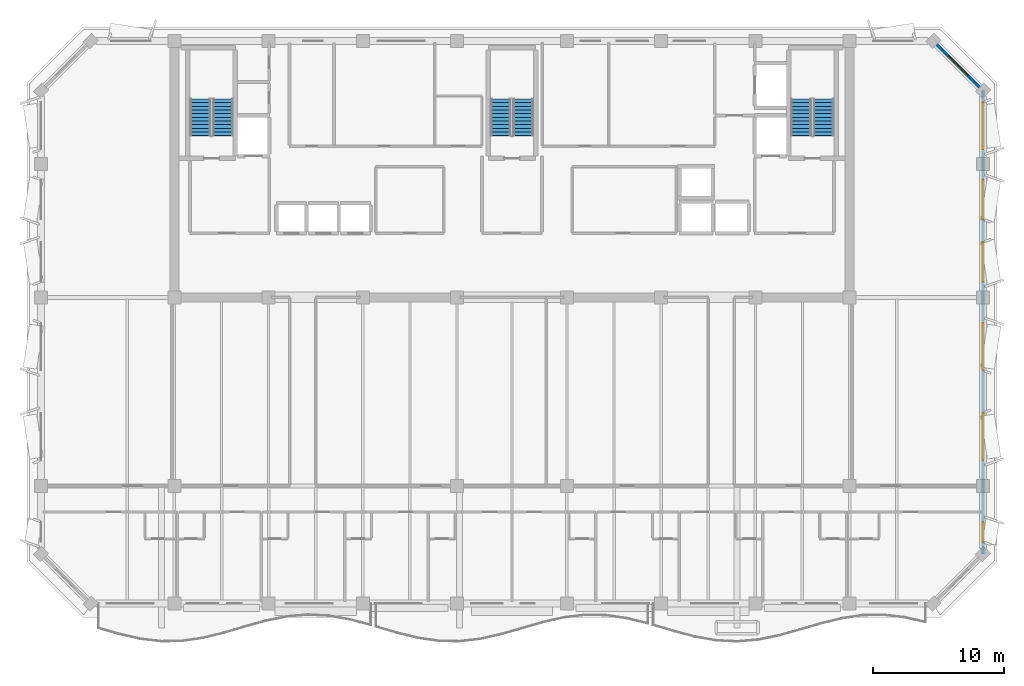
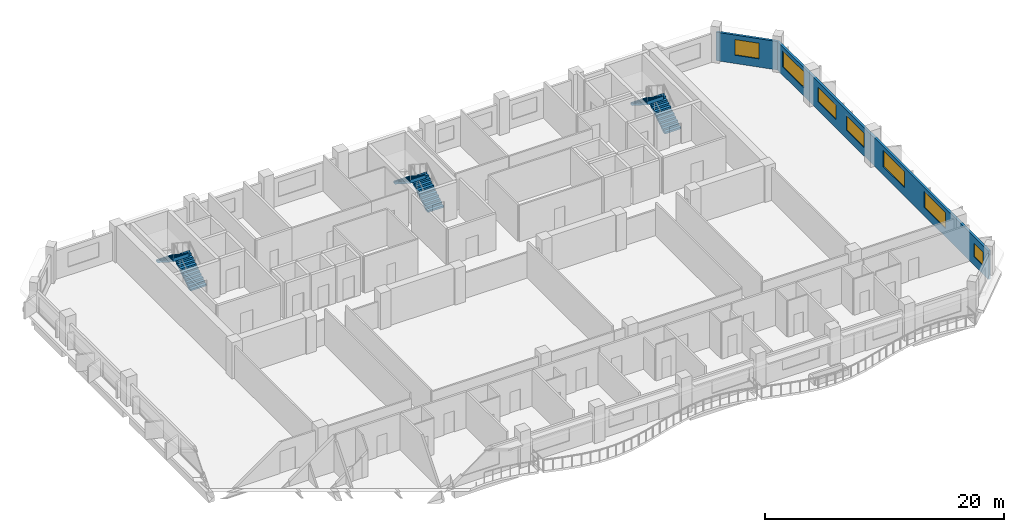
# One storey, part 8 of 11: 7 windows, 6 stair flights, 2 walls, 7 openings, 3 elements without a shape of their own.
"""IFC4 building model written with IfcOpenShell, lengths in metres."""

from ifc_helpers import new_model, si_unit, direction, frame, frame_2d, origin, place, context, subcontext, project, spatial, polyline, rectangle, outline, extrude, material, layer, layer_set, type_object, element, fill, aggregate, save


model = new_model("IFC4")

# Units and contexts
model_context = context("Model", 3, precision=1e-05, world=origin(), true_north=direction((0.0, 1.0)))
body_context = subcontext(model_context, "Body", "Model", "MODEL_VIEW")
ifc_project = project(units=[si_unit("LENGTHUNIT", "METRE"), si_unit("AREAUNIT", "SQUARE_METRE"), si_unit("VOLUMEUNIT", "CUBIC_METRE"), si_unit("PLANEANGLEUNIT", "RADIAN"), si_unit("MASSUNIT", "GRAM", prefix="KILO")], contexts=[model_context])

# Site, building, storey
site_placement = place(None, origin())
site = spatial("IfcSite", under=ifc_project, at=site_placement, CompositionType="ELEMENT")
building_placement = place(site_placement, origin())
building = spatial("IfcBuilding", under=site, at=building_placement, Name="Kaelvorn Grand Hotel", CompositionType="ELEMENT")
storey_placement = place(building_placement, frame((0.0, 0.0, 241.0)))
storey = spatial("IfcBuildingStorey", under=building, at=storey_placement, Name="L59", CompositionType="ELEMENT", Elevation=241.0)

# Wall, openings, windows
ifc_material_1 = material(Name="Concrete C40/50", Category="concrete")
ifc_layer = layer(ifc_material_1, 0.219970703125)
ifc_layer_set = layer_set([ifc_layer], Name="Concrete C40/50")
wall_type = type_object("IfcWallType", Name="WL-EXT-220-C40", PredefinedType="SOLIDWALL", material=ifc_layer_set)
wall_1_placement = place(storey_placement, frame((78.0, 9.800048828125, 0.0), z_axis=(0.0, 0.0, 1.0), x_axis=(0.0, 1.0, 0.0)))
wall_1 = element("IfcWall", 1, at=wall_1_placement, inside=storey, type_object=wall_type, Name="L59 Exterior Architectural Concrete Wall 03", PredefinedType="SOLIDWALL", context=body_context, shape_type="SweptSolid", body=[
    extrude(rectangle(XDim=35.39990234375, YDim=0.219970703125, at=frame_2d((17.699951171875, 0.0))), origin(), (0.0, 0.0, 1.0), 2.909912109375),
])
opening_1_placement = place(wall_1_placement, frame((0.93505859375, 0.0, 0.85009765625)))
opening_1 = element("IfcOpeningElement", 2, at=opening_1_placement, cuts=wall_1, Name="Opening W10", PredefinedType="OPENING", context=body_context, shape_type="SweptSolid", body=[
    extrude(rectangle(XDim=1.5, YDim=1.39990234375, at=frame_2d((0.75, 0.699951171875))), frame((0.0, 0.1201171875, 0.0), z_axis=(0.0, -1.0, 0.0), x_axis=(1.0, 0.0, 0.0)), (0.0, 0.0, 1.0), 0.239990234375),
])
opening_2_placement = place(wall_1_placement, frame((7.1650390625, 0.0, 0.85009765625)))
opening_2 = element("IfcOpeningElement", 3, at=opening_2_placement, cuts=wall_1, Name="Opening W3", PredefinedType="OPENING", context=body_context, shape_type="SweptSolid", body=[
    extrude(rectangle(XDim=3.60009765625, YDim=1.64990234375, at=frame_2d((1.800048828125, 0.824951171875))), frame((0.0, 0.1201171875, 0.0), z_axis=(0.0, -1.0, 0.0), x_axis=(1.0, 0.0, 0.0)), (0.0, 0.0, 1.0), 0.239990234375),
])
opening_3_placement = place(wall_1_placement, frame((14.034912109375, 0.0, 0.85009765625)))
opening_3 = element("IfcOpeningElement", 4, at=opening_3_placement, cuts=wall_1, Name="Opening W3", PredefinedType="OPENING", context=body_context, shape_type="SweptSolid", body=[
    extrude(rectangle(XDim=3.60009765625, YDim=1.64990234375, at=frame_2d((1.800048828125, 0.824951171875))), frame((0.0, 0.1201171875, 0.0), z_axis=(0.0, -1.0, 0.0), x_axis=(1.0, 0.0, 0.0)), (0.0, 0.0, 1.0), 0.239990234375),
])
opening_4_placement = place(wall_1_placement, frame((20.81494140625, 0.0, 0.85009765625)))
opening_4 = element("IfcOpeningElement", 5, at=opening_4_placement, cuts=wall_1, Name="Opening W5", PredefinedType="OPENING", context=body_context, shape_type="SweptSolid", body=[
    extrude(rectangle(XDim=3.0, YDim=1.5, at=frame_2d((1.5, 0.75))), frame((0.0, 0.1201171875, 0.0), z_axis=(0.0, -1.0, 0.0), x_axis=(1.0, 0.0, 0.0)), (0.0, 0.0, 1.0), 0.239990234375),
])
opening_5_placement = place(wall_1_placement, frame((25.5849609375, 0.0, 0.85009765625)))
opening_5 = element("IfcOpeningElement", 6, at=opening_5_placement, cuts=wall_1, Name="Opening W5", PredefinedType="OPENING", context=body_context, shape_type="SweptSolid", body=[
    extrude(rectangle(XDim=3.0, YDim=1.5, at=frame_2d((1.5, 0.75))), frame((0.0, 0.1201171875, 0.0), z_axis=(0.0, -1.0, 0.0), x_axis=(1.0, 0.0, 0.0)), (0.0, 0.0, 1.0), 0.239990234375),
])
opening_6_placement = place(wall_1_placement, frame((30.9150390625, 0.0, 0.85009765625)))
opening_6 = element("IfcOpeningElement", 7, at=opening_6_placement, cuts=wall_1, Name="Opening W3", PredefinedType="OPENING", context=body_context, shape_type="SweptSolid", body=[
    extrude(rectangle(XDim=3.60009765625, YDim=1.64990234375, at=frame_2d((1.800048828125, 0.824951171875))), frame((0.0, 0.1201171875, 0.0), z_axis=(0.0, -1.0, 0.0), x_axis=(1.0, 0.0, 0.0)), (0.0, 0.0, 1.0), 0.239990234375),
])
ifc_material_2 = material(Name="Laminated Low-E Glass", Category="glass")
window_type_1 = type_object("IfcWindowType", Name="WIN-COR-1500x1400", PartitioningType="SINGLE_PANEL", PredefinedType="WINDOW", material=ifc_material_2)
window_1_placement = place(opening_1_placement, origin())
window_1 = element("IfcWindow", 8, at=window_1_placement, inside=storey, type_object=window_type_1, Name="L59 E Wing Tilted-Frame Ribbon Window E01", OverallHeight=1.39990234375, OverallWidth=1.5, PartitioningType="SINGLE_PANEL", PredefinedType="WINDOW", context=body_context, shape_type="SweptSolid", body=[
    extrude(rectangle(XDim=1.5, YDim=1.39990234375, at=frame_2d((0.75, 0.699951171875))), frame((0.0, 0.030029296875, 0.0), z_axis=(0.0, -1.0, 0.0), x_axis=(1.0, 0.0, 0.0)), (0.0, 0.0, 1.0), 0.06005859375),
])
fill(opening_1, window_1)
window_type_2 = type_object("IfcWindowType", Name="WIN-NTH-3000x1500", PartitioningType="SINGLE_PANEL", PredefinedType="WINDOW", material=ifc_material_2)
window_2_placement = place(opening_4_placement, origin())
window_2 = element("IfcWindow", 9, at=window_2_placement, inside=storey, type_object=window_type_2, Name="L59 E Wing Tilted-Frame Ribbon Window E04", OverallHeight=1.5, OverallWidth=3.0, PartitioningType="SINGLE_PANEL", PredefinedType="WINDOW", context=body_context, shape_type="SweptSolid", body=[
    extrude(rectangle(XDim=3.0, YDim=1.5, at=frame_2d((1.5, 0.75))), frame((0.0, 0.030029296875, 0.0), z_axis=(0.0, -1.0, 0.0), x_axis=(1.0, 0.0, 0.0)), (0.0, 0.0, 1.0), 0.06005859375),
])
fill(opening_4, window_2)
window_3_placement = place(opening_5_placement, origin())
window_3 = element("IfcWindow", 10, at=window_3_placement, inside=storey, type_object=window_type_2, Name="L59 E Wing Tilted-Frame Ribbon Window E05", OverallHeight=1.5, OverallWidth=3.0, PartitioningType="SINGLE_PANEL", PredefinedType="WINDOW", context=body_context, shape_type="SweptSolid", body=[
    extrude(rectangle(XDim=3.0, YDim=1.5, at=frame_2d((1.5, 0.75))), frame((0.0, 0.030029296875, 0.0), z_axis=(0.0, -1.0, 0.0), x_axis=(1.0, 0.0, 0.0)), (0.0, 0.0, 1.0), 0.06005859375),
])
fill(opening_5, window_3)
window_type_3 = type_object("IfcWindowType", Name="WIN-RIB-3600x1750", PartitioningType="SINGLE_PANEL", PredefinedType="WINDOW", material=ifc_material_2)
window_4_placement = place(opening_2_placement, origin())
window_4 = element("IfcWindow", 11, at=window_4_placement, inside=storey, type_object=window_type_3, Name="L59 E Wing Tilted-Frame Ribbon Window E02", OverallHeight=1.64990234375, OverallWidth=3.60009765625, PartitioningType="SINGLE_PANEL", PredefinedType="WINDOW", context=body_context, shape_type="SweptSolid", body=[
    extrude(rectangle(XDim=3.60009765625, YDim=1.64990234375, at=frame_2d((1.800048828125, 0.824951171875))), frame((0.0, 0.030029296875, 0.0), z_axis=(0.0, -1.0, 0.0), x_axis=(1.0, 0.0, 0.0)), (0.0, 0.0, 1.0), 0.06005859375),
])
fill(opening_2, window_4)
window_5_placement = place(opening_3_placement, origin())
window_5 = element("IfcWindow", 12, at=window_5_placement, inside=storey, type_object=window_type_3, Name="L59 E Wing Tilted-Frame Ribbon Window E03", OverallHeight=1.64990234375, OverallWidth=3.60009765625, PartitioningType="SINGLE_PANEL", PredefinedType="WINDOW", context=body_context, shape_type="SweptSolid", body=[
    extrude(rectangle(XDim=3.60009765625, YDim=1.64990234375, at=frame_2d((1.800048828125, 0.824951171875))), frame((0.0, 0.030029296875, 0.0), z_axis=(0.0, -1.0, 0.0), x_axis=(1.0, 0.0, 0.0)), (0.0, 0.0, 1.0), 0.06005859375),
])
fill(opening_3, window_5)
window_6_placement = place(opening_6_placement, origin())
window_6 = element("IfcWindow", 13, at=window_6_placement, inside=storey, type_object=window_type_3, Name="L59 E Wing Tilted-Frame Ribbon Window E06", OverallHeight=1.64990234375, OverallWidth=3.60009765625, PartitioningType="SINGLE_PANEL", PredefinedType="WINDOW", context=body_context, shape_type="SweptSolid", body=[
    extrude(rectangle(XDim=3.60009765625, YDim=1.64990234375, at=frame_2d((1.800048828125, 0.824951171875))), frame((0.0, 0.030029296875, 0.0), z_axis=(0.0, -1.0, 0.0), x_axis=(1.0, 0.0, 0.0)), (0.0, 0.0, 1.0), 0.06005859375),
])
fill(opening_6, window_6)

# Wall, opening, window
wall_2_placement = place(storey_placement, frame((78.0, 45.199951171875, 0.0), z_axis=(0.0, 0.0, 1.0), x_axis=(-0.707106781187, 0.707106781187, 0.0)))
wall_2 = element("IfcWall", 14, at=wall_2_placement, inside=storey, type_object=wall_type, Name="L59 Exterior Architectural Concrete Wall 04", PredefinedType="SOLIDWALL", context=body_context, shape_type="SweptSolid", body=[
    extrude(rectangle(XDim=5.3740234375, YDim=0.219970703125, at=frame_2d((2.68701171875, 0.0))), origin(), (0.0, 0.0, 1.0), 2.909912109375),
])
opening_7_placement = place(wall_2_placement, frame((1.636962890625, 0.0, 0.85009765625)))
opening_7 = element("IfcOpeningElement", 15, at=opening_7_placement, cuts=wall_2, Name="Opening W7", PredefinedType="OPENING", context=body_context, shape_type="SweptSolid", body=[
    extrude(rectangle(XDim=2.10009765625, YDim=1.60009765625, at=frame_2d((1.050048828125, 0.800048828125))), frame((0.0, 0.1201171875, 0.0), z_axis=(0.0, -1.0, 0.0), x_axis=(1.0, 0.0, 0.0)), (0.0, 0.0, 1.0), 0.239990234375),
])
window_type_4 = type_object("IfcWindowType", Name="WIN-CHM-2100x1600", PartitioningType="SINGLE_PANEL", PredefinedType="WINDOW", material=ifc_material_2)
window_7_placement = place(opening_7_placement, origin())
window_7 = element("IfcWindow", 16, at=window_7_placement, inside=storey, type_object=window_type_4, Name="L59 Chamfered 45-Degree Corner Window NE", OverallHeight=1.60009765625, OverallWidth=2.10009765625, PartitioningType="SINGLE_PANEL", PredefinedType="WINDOW", context=body_context, shape_type="SweptSolid", body=[
    extrude(rectangle(XDim=2.10009765625, YDim=1.60009765625, at=frame_2d((1.050048828125, 0.800048828125))), frame((0.0, 0.030029296875, 0.0), z_axis=(0.0, -1.0, 0.0), x_axis=(1.0, 0.0, 0.0)), (0.0, 0.0, 1.0), 0.06005859375),
])
fill(opening_7, window_7)

# Stair, stair flights
stair_type = type_object("IfcStairType", Name="STR-DOG-1560-R09", PredefinedType="HALF_TURN_STAIR", material=ifc_material_1)
stair_1_placement = place(storey_placement, origin())
stair_1 = element("IfcStair", 17, at=stair_1_placement, inside=storey, type_object=stair_type, Name="L59 West Core Exit Stair ST1", PredefinedType="HALF_TURN_STAIR")
stair_flight_type = type_object("IfcStairFlightType", Name="FLG-DOG-1560-R09", PredefinedType="STRAIGHT", material=ifc_material_1)
stair_flight_1_placement = place(storey_placement, frame((19.89990234375, 41.760009765625, 0.0), z_axis=(0.0, 0.0, 1.0), x_axis=(0.0, 1.0, 0.0)))
stair_flight_1 = element("IfcStairFlight", 18, at=stair_flight_1_placement, type_object=stair_flight_type, Name="ST1 flight 1", NumberOfRisers=11, NumberOfTreads=10, PredefinedType="STRAIGHT", RiserHeight=0.179545455, TreadLength=0.28, context=body_context, shape_type="SweptSolid", body=[
    extrude(outline(polyline([(-0.0048828125, 0.0), (-0.0048828125, 0.0400390625), (0.0, 0.179443359375), (0.280029296875, 0.179443359375), (0.280029296875, 0.359130859375), (0.56005859375, 0.359130859375), (0.56005859375, 0.53857421875), (0.840087890625, 0.53857421875), (0.840087890625, 0.71826171875), (1.1201171875, 0.71826171875), (1.1201171875, 0.897705078125), (1.39990234375, 0.897705078125), (1.39990234375, 1.077392578125), (1.679931640625, 1.077392578125), (1.679931640625, 1.2568359375), (1.9599609375, 1.2568359375), (1.9599609375, 1.436279296875), (2.239990234375, 1.436279296875), (2.239990234375, 1.615966796875), (2.52001953125, 1.615966796875), (2.52001953125, 1.79541015625), (2.800048828125, 1.79541015625), (2.800048828125, 1.97509765625), (2.804931640625, 1.97509765625), (2.804931640625, 1.617431640625), (0.277587890625, 0.0), (-0.0048828125, 0.0)])), frame((0.0, 0.780029296875, 0.0), z_axis=(0.0, -1.0, 0.0), x_axis=(1.0, 0.0, 0.0)), (0.0, 0.0, 1.0), 1.56005859375),
])
stair_flight_2_placement = place(storey_placement, frame((18.179931640625, 44.56005859375, 1.97509765625), z_axis=(0.0, 0.0, 1.0), x_axis=(0.0, -1.0, 0.0)))
stair_flight_2 = element("IfcStairFlight", 19, at=stair_flight_2_placement, type_object=stair_flight_type, Name="ST1 flight 2", NumberOfRisers=11, NumberOfTreads=10, PredefinedType="STRAIGHT", RiserHeight=0.179545455, TreadLength=0.28, context=body_context, shape_type="SweptSolid", body=[
    extrude(outline(polyline([(-0.0048828125, 0.0), (-0.0048828125, 0.0400390625), (0.0, 0.179443359375), (0.280029296875, 0.179443359375), (0.280029296875, 0.359130859375), (0.56005859375, 0.359130859375), (0.56005859375, 0.53857421875), (0.840087890625, 0.53857421875), (0.840087890625, 0.71826171875), (1.1201171875, 0.71826171875), (1.1201171875, 0.897705078125), (1.39990234375, 0.897705078125), (1.39990234375, 1.077392578125), (1.679931640625, 1.077392578125), (1.679931640625, 1.2568359375), (1.9599609375, 1.2568359375), (1.9599609375, 1.436279296875), (2.239990234375, 1.436279296875), (2.239990234375, 1.615966796875), (2.52001953125, 1.615966796875), (2.52001953125, 1.79541015625), (2.800048828125, 1.79541015625), (2.800048828125, 1.97509765625), (2.804931640625, 1.97509765625), (2.804931640625, 1.617431640625), (0.277587890625, 0.0), (-0.0048828125, 0.0)])), frame((0.0, 0.780029296875, 0.0), z_axis=(0.0, -1.0, 0.0), x_axis=(1.0, 0.0, 0.0)), (0.0, 0.0, 1.0), 1.56005859375),
])
aggregate(stair_1, [stair_flight_1, stair_flight_2])

stair_2_placement = place(storey_placement, origin())
stair_2 = element("IfcStair", 20, at=stair_2_placement, inside=storey, type_object=stair_type, Name="L59 Central Core Exit Stair ST2", PredefinedType="HALF_TURN_STAIR")
stair_flight_3_placement = place(storey_placement, frame((42.860107421875, 41.760009765625, 0.0), z_axis=(0.0, 0.0, 1.0), x_axis=(0.0, 1.0, 0.0)))
stair_flight_3 = element("IfcStairFlight", 21, at=stair_flight_3_placement, type_object=stair_flight_type, Name="ST2 flight 1", NumberOfRisers=11, NumberOfTreads=10, PredefinedType="STRAIGHT", RiserHeight=0.179545455, TreadLength=0.28, context=body_context, shape_type="SweptSolid", body=[
    extrude(outline(polyline([(-0.0048828125, 0.0), (-0.0048828125, 0.0400390625), (0.0, 0.179443359375), (0.280029296875, 0.179443359375), (0.280029296875, 0.359130859375), (0.56005859375, 0.359130859375), (0.56005859375, 0.53857421875), (0.840087890625, 0.53857421875), (0.840087890625, 0.71826171875), (1.1201171875, 0.71826171875), (1.1201171875, 0.897705078125), (1.39990234375, 0.897705078125), (1.39990234375, 1.077392578125), (1.679931640625, 1.077392578125), (1.679931640625, 1.2568359375), (1.9599609375, 1.2568359375), (1.9599609375, 1.436279296875), (2.239990234375, 1.436279296875), (2.239990234375, 1.615966796875), (2.52001953125, 1.615966796875), (2.52001953125, 1.79541015625), (2.800048828125, 1.79541015625), (2.800048828125, 1.97509765625), (2.804931640625, 1.97509765625), (2.804931640625, 1.617431640625), (0.277587890625, 0.0), (-0.0048828125, 0.0)])), frame((0.0, 0.780029296875, 0.0), z_axis=(0.0, -1.0, 0.0), x_axis=(1.0, 0.0, 0.0)), (0.0, 0.0, 1.0), 1.56005859375),
])
stair_flight_4_placement = place(storey_placement, frame((41.139892578125, 44.56005859375, 1.97509765625), z_axis=(0.0, 0.0, 1.0), x_axis=(0.0, -1.0, 0.0)))
stair_flight_4 = element("IfcStairFlight", 22, at=stair_flight_4_placement, type_object=stair_flight_type, Name="ST2 flight 2", NumberOfRisers=11, NumberOfTreads=10, PredefinedType="STRAIGHT", RiserHeight=0.179545455, TreadLength=0.28, context=body_context, shape_type="SweptSolid", body=[
    extrude(outline(polyline([(-0.0048828125, 0.0), (-0.0048828125, 0.0400390625), (0.0, 0.179443359375), (0.280029296875, 0.179443359375), (0.280029296875, 0.359130859375), (0.56005859375, 0.359130859375), (0.56005859375, 0.53857421875), (0.840087890625, 0.53857421875), (0.840087890625, 0.71826171875), (1.1201171875, 0.71826171875), (1.1201171875, 0.897705078125), (1.39990234375, 0.897705078125), (1.39990234375, 1.077392578125), (1.679931640625, 1.077392578125), (1.679931640625, 1.2568359375), (1.9599609375, 1.2568359375), (1.9599609375, 1.436279296875), (2.239990234375, 1.436279296875), (2.239990234375, 1.615966796875), (2.52001953125, 1.615966796875), (2.52001953125, 1.79541015625), (2.800048828125, 1.79541015625), (2.800048828125, 1.97509765625), (2.804931640625, 1.97509765625), (2.804931640625, 1.617431640625), (0.277587890625, 0.0), (-0.0048828125, 0.0)])), frame((0.0, 0.780029296875, 0.0), z_axis=(0.0, -1.0, 0.0), x_axis=(1.0, 0.0, 0.0)), (0.0, 0.0, 1.0), 1.56005859375),
])
aggregate(stair_2, [stair_flight_3, stair_flight_4])

stair_3_placement = place(storey_placement, origin())
stair_3 = element("IfcStair", 23, at=stair_3_placement, inside=storey, type_object=stair_type, Name="L59 East Core Exit Stair ST3", PredefinedType="HALF_TURN_STAIR")
stair_flight_5_placement = place(storey_placement, frame((65.820068359375, 41.760009765625, 0.0), z_axis=(0.0, 0.0, 1.0), x_axis=(0.0, 1.0, 0.0)))
stair_flight_5 = element("IfcStairFlight", 24, at=stair_flight_5_placement, type_object=stair_flight_type, Name="ST3 flight 1", NumberOfRisers=11, NumberOfTreads=10, PredefinedType="STRAIGHT", RiserHeight=0.179545455, TreadLength=0.28, context=body_context, shape_type="SweptSolid", body=[
    extrude(outline(polyline([(-0.0048828125, 0.0), (-0.0048828125, 0.0400390625), (0.0, 0.179443359375), (0.280029296875, 0.179443359375), (0.280029296875, 0.359130859375), (0.56005859375, 0.359130859375), (0.56005859375, 0.53857421875), (0.840087890625, 0.53857421875), (0.840087890625, 0.71826171875), (1.1201171875, 0.71826171875), (1.1201171875, 0.897705078125), (1.39990234375, 0.897705078125), (1.39990234375, 1.077392578125), (1.679931640625, 1.077392578125), (1.679931640625, 1.2568359375), (1.9599609375, 1.2568359375), (1.9599609375, 1.436279296875), (2.239990234375, 1.436279296875), (2.239990234375, 1.615966796875), (2.52001953125, 1.615966796875), (2.52001953125, 1.79541015625), (2.800048828125, 1.79541015625), (2.800048828125, 1.97509765625), (2.804931640625, 1.97509765625), (2.804931640625, 1.617431640625), (0.277587890625, 0.0), (-0.0048828125, 0.0)])), frame((0.0, 0.780029296875, 0.0), z_axis=(0.0, -1.0, 0.0), x_axis=(1.0, 0.0, 0.0)), (0.0, 0.0, 1.0), 1.56005859375),
])
stair_flight_6_placement = place(storey_placement, frame((64.10009765625, 44.56005859375, 1.97509765625), z_axis=(0.0, 0.0, 1.0), x_axis=(0.0, -1.0, 0.0)))
stair_flight_6 = element("IfcStairFlight", 25, at=stair_flight_6_placement, type_object=stair_flight_type, Name="ST3 flight 2", NumberOfRisers=11, NumberOfTreads=10, PredefinedType="STRAIGHT", RiserHeight=0.179545455, TreadLength=0.28, context=body_context, shape_type="SweptSolid", body=[
    extrude(outline(polyline([(-0.0048828125, 0.0), (-0.0048828125, 0.0400390625), (0.0, 0.179443359375), (0.280029296875, 0.179443359375), (0.280029296875, 0.359130859375), (0.56005859375, 0.359130859375), (0.56005859375, 0.53857421875), (0.840087890625, 0.53857421875), (0.840087890625, 0.71826171875), (1.1201171875, 0.71826171875), (1.1201171875, 0.897705078125), (1.39990234375, 0.897705078125), (1.39990234375, 1.077392578125), (1.679931640625, 1.077392578125), (1.679931640625, 1.2568359375), (1.9599609375, 1.2568359375), (1.9599609375, 1.436279296875), (2.239990234375, 1.436279296875), (2.239990234375, 1.615966796875), (2.52001953125, 1.615966796875), (2.52001953125, 1.79541015625), (2.800048828125, 1.79541015625), (2.800048828125, 1.97509765625), (2.804931640625, 1.97509765625), (2.804931640625, 1.617431640625), (0.277587890625, 0.0), (-0.0048828125, 0.0)])), frame((0.0, 0.780029296875, 0.0), z_axis=(0.0, -1.0, 0.0), x_axis=(1.0, 0.0, 0.0)), (0.0, 0.0, 1.0), 1.56005859375),
])
aggregate(stair_3, [stair_flight_5, stair_flight_6])

save(model, "model.ifc")
